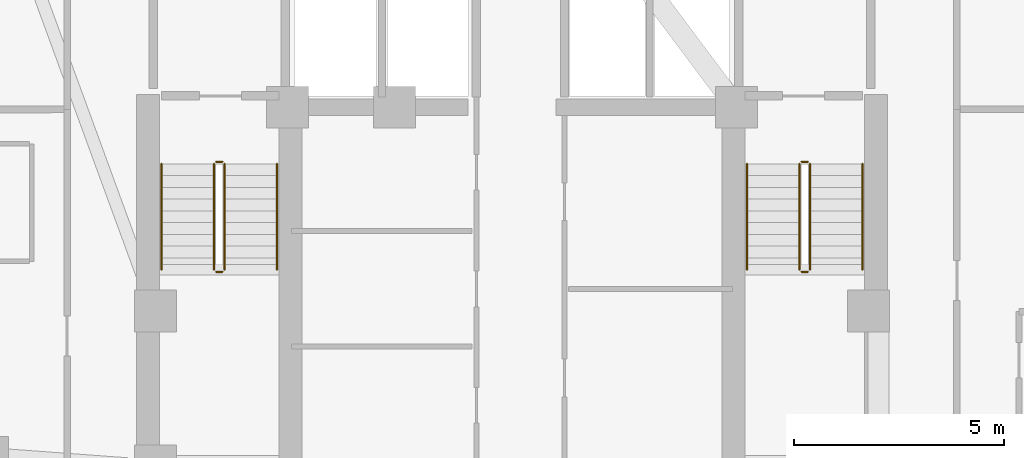
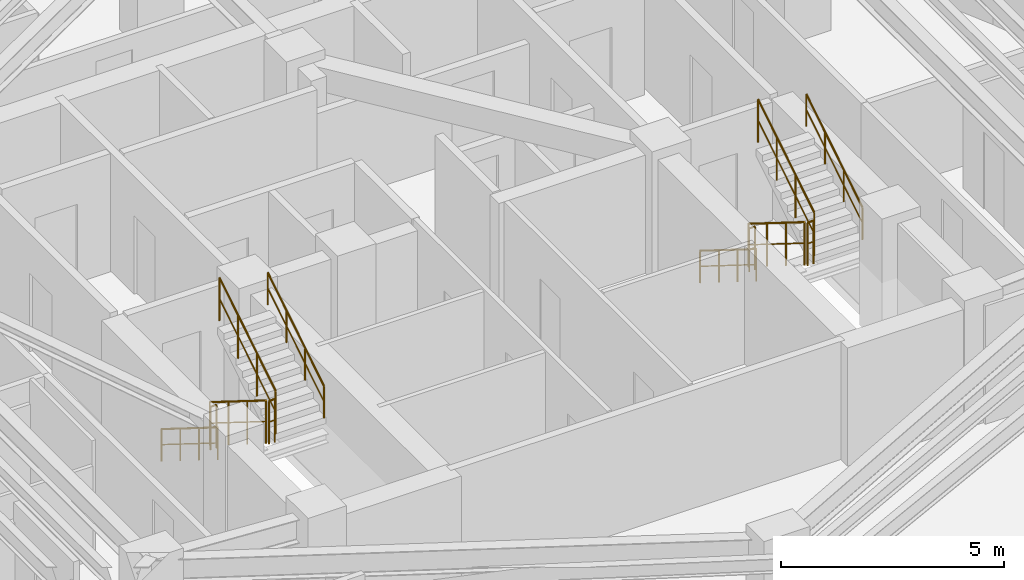
# One storey, part 9 of 9: 12 railings.
"""IFC4 building model written with IfcOpenShell, lengths in metres."""

import ifcopenshell
import ifcopenshell.guid

model = None  # the IFC model being written
_history = None  # IfcOwnerHistory: only IFC2X3 demands one
_inside = {}  # id of a spatial element -> (the spatial element, [elements in it])
_under = {}  # id of a project, library or spatial element -> (it, [spatial elements below it])
_declared = {}  # id of a project -> (the project, [libraries it declares])
_typed = {}  # id of a type object -> (the type object, [elements of that type])
_made_of = {}  # id of a material, layer set ... -> (it, [elements and type objects made of it])


def new_model(schema):
    """Start an empty IFC model of exactly this schema.

    Asked for "IFC4X3", IfcOpenShell would pick the latest addendum, in which some entities
    have other attributes; the version numbers below select the first issue.
    IFC2X3 requires an IfcOwnerHistory on every rooted entity: one is made here for all.
    """
    global model, _history
    if schema == "IFC4X3":
        model = ifcopenshell.file(schema_version=(4, 3, 0, 0))
    else:
        model = ifcopenshell.file(schema=schema)
    _inside.clear()
    _under.clear()
    _declared.clear()
    _typed.clear()
    _made_of.clear()
    _history = None
    if model.schema == "IFC2X3":
        org = make("IfcOrganization", Name="unknown")
        user = make(
            "IfcPersonAndOrganization",
            ThePerson=make("IfcPerson", FamilyName="unknown"),
            TheOrganization=org,
        )
        app = make(
            "IfcApplication",
            ApplicationDeveloper=org,
            Version="unknown",
            ApplicationFullName="unknown",
            ApplicationIdentifier="unknown",
        )
        _history = make(
            "IfcOwnerHistory",
            OwningUser=user,
            OwningApplication=app,
            ChangeAction="ADDED",
            CreationDate=0,
        )
    return model


def make(cls, **values):
    """One entity of the class cls with the attributes given. An attribute that is None is left unset."""
    return model.create_entity(
        cls, **{name: value for name, value in values.items() if value is not None}
    )


def rooted(cls, **values):
    """An entity with a GlobalId (a new one), such as an element, a storey or a relation."""
    return make(cls, GlobalId=ifcopenshell.guid.new(), OwnerHistory=_history, **values)


def si_unit(unit_type, name, prefix=None):
    """IfcSIUnit, for example si_unit("LENGTHUNIT", "METRE", prefix="MILLI")."""
    return make("IfcSIUnit", UnitType=unit_type, Prefix=prefix, Name=name)


def assignment(units):
    """IfcUnitAssignment: the units of a project."""
    return None if units is None else make("IfcUnitAssignment", Units=units)


def point(xyz):
    """IfcCartesianPoint."""
    return None if xyz is None else make("IfcCartesianPoint", Coordinates=xyz)


def direction(xyz):
    """IfcDirection."""
    return None if xyz is None else make("IfcDirection", DirectionRatios=xyz)


def frame(location, z_axis=None, x_axis=None):
    """IfcAxis2Placement3D, a coordinate frame: its origin and axes. An axis left out is left unset."""
    return make(
        "IfcAxis2Placement3D",
        Location=point(location),
        Axis=direction(z_axis),
        RefDirection=direction(x_axis),
    )


def frame_2d(location, x_axis=None):
    """IfcAxis2Placement2D, a coordinate frame in the plane: its origin and x axis."""
    return make(
        "IfcAxis2Placement2D", Location=point(location), RefDirection=direction(x_axis)
    )


def origin():
    """The frame at (0, 0, 0) with its axes left unset."""
    return frame((0.0, 0.0, 0.0))


def origin_2d():
    """The frame at (0, 0) in the plane with its x axis left unset."""
    return frame_2d((0.0, 0.0))


def place(relative_to, where):
    """IfcLocalPlacement: puts the frame where relative to a parent placement (None: the world)."""
    return make(
        "IfcLocalPlacement", PlacementRelTo=relative_to, RelativePlacement=where
    )


def context(
    kind, dimensions, precision=None, world=None, true_north=None, identifier=None
):
    """IfcGeometricRepresentationContext, for example the 3D "Model" context."""
    return make(
        "IfcGeometricRepresentationContext",
        ContextIdentifier=identifier,
        ContextType=kind,
        CoordinateSpaceDimension=dimensions,
        Precision=precision,
        WorldCoordinateSystem=world,
        TrueNorth=true_north,
    )


def subcontext(parent, identifier, kind, view, scale=None):
    """IfcGeometricRepresentationSubContext, for example "Body" below "Model"."""
    return make(
        "IfcGeometricRepresentationSubContext",
        ContextIdentifier=identifier,
        ContextType=kind,
        ParentContext=parent,
        TargetScale=scale,
        TargetView=view,
    )


def project(units=None, contexts=None):
    """IfcProject with its units and contexts."""
    return rooted(
        "IfcProject",
        Name="project",
        RepresentationContexts=contexts,
        UnitsInContext=assignment(units),
    )


def spatial(cls, under=None, at=None, **own):
    """A site, building, storey or space (cls), placed at a placement, below another one or the project."""
    s = rooted(cls, ObjectPlacement=at, **own)
    if under is not None:
        _under.setdefault(under.id(), (under, []))[1].append(s)
    return s


def profile(cls, at=None, kind="AREA", **sizes):
    """A parametric profile (cls). Its sizes go by their IFC names, for example OverallWidth=200.0."""
    return make(cls, ProfileType=kind, Position=at, **sizes)


def circle(**sizes):
    """IfcCircleProfileDef."""
    return profile("IfcCircleProfileDef", **sizes)


def extrude(swept, where, along, depth):
    """IfcExtrudedAreaSolid: the profile swept, set in the frame where, extruded along a direction by depth."""
    return make(
        "IfcExtrudedAreaSolid",
        SweptArea=swept,
        Position=where,
        ExtrudedDirection=direction(along),
        Depth=depth,
    )


def shape(context_of_items, identifier, shape_type, items):
    """IfcShapeRepresentation: the items that make up one representation, for example the "Body"."""
    return make(
        "IfcShapeRepresentation",
        ContextOfItems=context_of_items,
        RepresentationIdentifier=identifier,
        RepresentationType=shape_type,
        Items=items,
    )


def material(Name=None, Category=None):
    """IfcMaterial."""
    return make("IfcMaterial", Name=Name, Category=Category)


def made_of(thing, what):
    """Note that an element or type object is made of a material, layer set ...; save() writes the relation."""
    if what is not None:
        _made_of.setdefault(what.id(), (what, []))[1].append(thing)
    return thing


def type_object(cls, material=None, **own):
    """A type object (cls), such as IfcWallType, which elements share."""
    return made_of(rooted(cls, **own), material)


def element(
    cls,
    number,
    at=None,
    inside=None,
    cuts=None,
    type_object=None,
    material=None,
    context=None,
    identifier="Body",
    shape_type=None,
    held_by="IfcProductDefinitionShape",
    body=None,
    shapes=None,
    **own,
):
    """One element of the class cls, such as IfcWall. Its Tag is "e" and its number.

    at: its placement. inside: the storey or other place that contains it. cuts: it is an
    opening in that element (IfcRelVoidsElement). A single representation is given by context,
    identifier, shape_type and body (its items); several are given by shapes. held_by: the class
    of the entity that holds the representations. save() writes the other relations.
    """
    e = rooted(cls, Tag="e%d" % number, ObjectPlacement=at, **own)
    if body is not None:
        shapes = [shape(context, identifier, shape_type, body)]
    if shapes is not None:
        e.Representation = make(held_by, Representations=shapes)
    if inside is not None:
        _inside.setdefault(inside.id(), (inside, []))[1].append(e)
    if cuts is not None:
        rooted(
            "IfcRelVoidsElement", RelatingBuildingElement=cuts, RelatedOpeningElement=e
        )
    if type_object is not None:
        _typed.setdefault(type_object.id(), (type_object, []))[1].append(e)
    return made_of(e, material)


def aggregate(whole, parts):
    """IfcRelAggregates: a whole, such as a stair, and the parts it consists of."""
    return rooted("IfcRelAggregates", RelatingObject=whole, RelatedObjects=parts)


def save(model, path):
    """Write the relations noted so far, then the file.

    IfcRelAggregates (storeys below a building ...), IfcRelContainedInSpatialStructure (elements
    in a storey), IfcRelDefinesByType, IfcRelAssociatesMaterial and IfcRelDeclares: one each for
    every whole, place, type object, material and project.
    """
    for whole, parts in _under.values():
        aggregate(whole, parts)
    for where, things in _inside.values():
        rooted(
            "IfcRelContainedInSpatialStructure",
            RelatedElements=things,
            RelatingStructure=where,
        )
    for kind, things in _typed.values():
        rooted("IfcRelDefinesByType", RelatedObjects=things, RelatingType=kind)
    for what, things in _made_of.values():
        rooted("IfcRelAssociatesMaterial", RelatedObjects=things, RelatingMaterial=what)
    for by, libraries in _declared.values():
        rooted("IfcRelDeclares", RelatingContext=by, RelatedDefinitions=libraries)
    model.write(path)


model = new_model("IFC4")

# Units and contexts
model_context = context("Model", 3, precision=1e-05, world=origin(), true_north=direction((0.0, 1.0)))
body_context = subcontext(model_context, "Body", "Model", "MODEL_VIEW")
ifc_project = project(units=[si_unit("LENGTHUNIT", "METRE"), si_unit("AREAUNIT", "SQUARE_METRE"), si_unit("VOLUMEUNIT", "CUBIC_METRE"), si_unit("PLANEANGLEUNIT", "RADIAN"), si_unit("MASSUNIT", "GRAM", prefix="KILO")], contexts=[model_context])

# Site, building, storey
site_placement = place(None, origin())
site = spatial("IfcSite", under=ifc_project, at=site_placement, CompositionType="ELEMENT")
building_placement = place(site_placement, origin())
building = spatial("IfcBuilding", under=site, at=building_placement, Name="Miruveldt Soraemaru", CompositionType="ELEMENT")
storey_placement = place(building_placement, frame((0.0, 0.0, 138.89990234375)))
storey = spatial("IfcBuildingStorey", under=building, at=storey_placement, Name="L38", CompositionType="ELEMENT", Elevation=138.89990234375)

# Railings
ifc_material = material(Name="Steel S355 (355 MPa)", Category="steel")
railing_type_1 = type_object("IfcRailingType", Name="RAIL-HR-900", PredefinedType="HANDRAIL", material=ifc_material)
railing_1_placement = place(storey_placement, frame((35.64990234375, 42.699951171875, 0.175048828125)))
element("IfcRailing", 1, at=railing_1_placement, inside=storey, type_object=railing_type_1, Name="L38 ST-1 stair handrail 1", PredefinedType="HANDRAIL", context=body_context, shape_type="SweptSolid", body=[
    extrude(circle(Radius=0.02392578125, at=origin_2d()), frame((0.0, 0.0, 0.8759765625), z_axis=(0.0, -0.848007534815, 0.529984170421), x_axis=(1.0, 0.0, 0.0)), (0.0, 0.0, 1.0), 2.9716796875),
    extrude(circle(Radius=0.01611328125, at=origin_2d()), frame((0.0, 0.0, 0.449951171875), z_axis=(0.0, -0.848007534815, 0.529984170421), x_axis=(1.0, 0.0, 0.0)), (0.0, 0.0, 1.0), 2.9716796875),
    extrude(circle(Radius=0.02099609375, at=origin_2d()), origin(), (0.0, 0.0, 1.0), 0.851806640625),
    extrude(circle(Radius=0.02099609375, at=origin_2d()), frame((0.0, -0.840087890625, 0.52490234375)), (0.0, 0.0, 1.0), 0.851806640625),
    extrude(circle(Radius=0.02099609375, at=origin_2d()), frame((0.0, -1.679931640625, 1.050048828125)), (0.0, 0.0, 1.0), 0.851806640625),
    extrude(circle(Radius=0.02099609375, at=origin_2d()), frame((0.0, -2.52001953125, 1.574951171875)), (0.0, 0.0, 1.0), 0.851806640625),
])
railing_2_placement = place(storey_placement, frame((38.39990234375, 40.179931640625, 1.925048828125)))
element("IfcRailing", 2, at=railing_2_placement, inside=storey, type_object=railing_type_1, Name="L38 ST-1 stair handrail 2", PredefinedType="HANDRAIL", context=body_context, shape_type="SweptSolid", body=[
    extrude(circle(Radius=0.02392578125, at=origin_2d()), frame((0.0, 0.0, 0.8759765625), z_axis=(0.0, 0.848007534815, 0.529984170421), x_axis=(-1.0, 0.0, 0.0)), (0.0, 0.0, 1.0), 2.9716796875),
    extrude(circle(Radius=0.01611328125, at=origin_2d()), frame((0.0, 0.0, 0.449951171875), z_axis=(0.0, 0.848007534815, 0.529984170421), x_axis=(-1.0, 0.0, 0.0)), (0.0, 0.0, 1.0), 2.9716796875),
    extrude(circle(Radius=0.02099609375, at=origin_2d()), origin(), (0.0, 0.0, 1.0), 0.851806640625),
    extrude(circle(Radius=0.02099609375, at=origin_2d()), frame((0.0, 0.840087890625, 0.52490234375)), (0.0, 0.0, 1.0), 0.851806640625),
    extrude(circle(Radius=0.02099609375, at=origin_2d()), frame((0.0, 1.679931640625, 1.050048828125)), (0.0, 0.0, 1.0), 0.851806640625),
    extrude(circle(Radius=0.02099609375, at=origin_2d()), frame((0.0, 2.52001953125, 1.574951171875)), (0.0, 0.0, 1.0), 0.851806640625),
])
railing_3_placement = place(storey_placement, frame((49.60009765625, 42.699951171875, 0.175048828125)))
element("IfcRailing", 3, at=railing_3_placement, inside=storey, type_object=railing_type_1, Name="L38 ST-2 stair handrail 1", PredefinedType="HANDRAIL", context=body_context, shape_type="SweptSolid", body=[
    extrude(circle(Radius=0.02392578125, at=origin_2d()), frame((0.0, 0.0, 0.8759765625), z_axis=(0.0, -0.848007534815, 0.529984170421), x_axis=(1.0, 0.0, 0.0)), (0.0, 0.0, 1.0), 2.9716796875),
    extrude(circle(Radius=0.01611328125, at=origin_2d()), frame((0.0, 0.0, 0.449951171875), z_axis=(0.0, -0.848007534815, 0.529984170421), x_axis=(1.0, 0.0, 0.0)), (0.0, 0.0, 1.0), 2.9716796875),
    extrude(circle(Radius=0.02099609375, at=origin_2d()), origin(), (0.0, 0.0, 1.0), 0.851806640625),
    extrude(circle(Radius=0.02099609375, at=origin_2d()), frame((0.0, -0.840087890625, 0.52490234375)), (0.0, 0.0, 1.0), 0.851806640625),
    extrude(circle(Radius=0.02099609375, at=origin_2d()), frame((0.0, -1.679931640625, 1.050048828125)), (0.0, 0.0, 1.0), 0.851806640625),
    extrude(circle(Radius=0.02099609375, at=origin_2d()), frame((0.0, -2.52001953125, 1.574951171875)), (0.0, 0.0, 1.0), 0.851806640625),
])
railing_4_placement = place(storey_placement, frame((52.35009765625, 40.179931640625, 1.925048828125)))
element("IfcRailing", 4, at=railing_4_placement, inside=storey, type_object=railing_type_1, Name="L38 ST-2 stair handrail 2", PredefinedType="HANDRAIL", context=body_context, shape_type="SweptSolid", body=[
    extrude(circle(Radius=0.02392578125, at=origin_2d()), frame((0.0, 0.0, 0.8759765625), z_axis=(0.0, 0.848007534815, 0.529984170421), x_axis=(-1.0, 0.0, 0.0)), (0.0, 0.0, 1.0), 2.9716796875),
    extrude(circle(Radius=0.01611328125, at=origin_2d()), frame((0.0, 0.0, 0.449951171875), z_axis=(0.0, 0.848007534815, 0.529984170421), x_axis=(-1.0, 0.0, 0.0)), (0.0, 0.0, 1.0), 2.9716796875),
    extrude(circle(Radius=0.02099609375, at=origin_2d()), origin(), (0.0, 0.0, 1.0), 0.851806640625),
    extrude(circle(Radius=0.02099609375, at=origin_2d()), frame((0.0, 0.840087890625, 0.52490234375)), (0.0, 0.0, 1.0), 0.851806640625),
    extrude(circle(Radius=0.02099609375, at=origin_2d()), frame((0.0, 1.679931640625, 1.050048828125)), (0.0, 0.0, 1.0), 0.851806640625),
    extrude(circle(Radius=0.02099609375, at=origin_2d()), frame((0.0, 2.52001953125, 1.574951171875)), (0.0, 0.0, 1.0), 0.851806640625),
])
railing_type_2 = type_object("IfcRailingType", Name="RAIL-STGUARD-1200", PredefinedType="GUARDRAIL", material=ifc_material)
railing_5_placement = place(storey_placement, frame((36.89990234375, 42.699951171875, 0.175048828125)))
element("IfcRailing", 5, at=railing_5_placement, inside=storey, type_object=railing_type_2, Name="L38 ST-1 stair guard 1", PredefinedType="GUARDRAIL", context=body_context, shape_type="SweptSolid", body=[
    extrude(circle(Radius=0.02392578125, at=origin_2d()), frame((0.0, 0.0, 1.17578125), z_axis=(0.0, -0.848007534815, 0.529984170421), x_axis=(1.0, 0.0, 0.0)), (0.0, 0.0, 1.0), 2.9716796875),
    extrude(circle(Radius=0.01611328125, at=origin_2d()), frame((0.0, 0.0, 0.60009765625), z_axis=(0.0, -0.848007534815, 0.529984170421), x_axis=(1.0, 0.0, 0.0)), (0.0, 0.0, 1.0), 2.9716796875),
    extrude(circle(Radius=0.02099609375, at=origin_2d()), origin(), (0.0, 0.0, 1.0), 1.15185546875),
    extrude(circle(Radius=0.02099609375, at=origin_2d()), frame((0.0, -0.840087890625, 0.52490234375)), (0.0, 0.0, 1.0), 1.15185546875),
    extrude(circle(Radius=0.02099609375, at=origin_2d()), frame((0.0, -1.679931640625, 1.050048828125)), (0.0, 0.0, 1.0), 1.15185546875),
    extrude(circle(Radius=0.02099609375, at=origin_2d()), frame((0.0, -2.52001953125, 1.574951171875)), (0.0, 0.0, 1.0), 1.15185546875),
])
railing_6_placement = place(storey_placement, frame((36.949951171875, 40.1298828125, 1.75)))
element("IfcRailing", 6, at=railing_6_placement, inside=storey, type_object=railing_type_2, Name="L38 ST-1 stair guard 2", PredefinedType="GUARDRAIL", context=body_context, shape_type="SweptSolid", body=[
    extrude(circle(Radius=0.02392578125, at=origin_2d()), frame((0.0, 0.0, 1.17578125), z_axis=(1.0, 0.0, 0.0), x_axis=(0.0, 1.0, 0.0)), (0.0, 0.0, 1.0), 0.150146484375),
    extrude(circle(Radius=0.01611328125, at=origin_2d()), frame((0.0, 0.0, 0.60009765625), z_axis=(1.0, 0.0, 0.0), x_axis=(0.0, 1.0, 0.0)), (0.0, 0.0, 1.0), 0.150146484375),
    extrude(circle(Radius=0.02099609375, at=origin_2d()), origin(), (0.0, 0.0, 1.0), 1.15185546875),
    extrude(circle(Radius=0.02099609375, at=origin_2d()), frame((0.150146484375, 0.0, 0.0)), (0.0, 0.0, 1.0), 1.15185546875),
])
railing_7_placement = place(storey_placement, frame((37.14990234375, 40.179931640625, 1.925048828125)))
element("IfcRailing", 7, at=railing_7_placement, inside=storey, type_object=railing_type_2, Name="L38 ST-1 stair guard 3", PredefinedType="GUARDRAIL", context=body_context, shape_type="SweptSolid", body=[
    extrude(circle(Radius=0.02392578125, at=origin_2d()), frame((0.0, 0.0, 1.17578125), z_axis=(0.0, 0.848007534815, 0.529984170421), x_axis=(-1.0, 0.0, 0.0)), (0.0, 0.0, 1.0), 2.9716796875),
    extrude(circle(Radius=0.01611328125, at=origin_2d()), frame((0.0, 0.0, 0.60009765625), z_axis=(0.0, 0.848007534815, 0.529984170421), x_axis=(-1.0, 0.0, 0.0)), (0.0, 0.0, 1.0), 2.9716796875),
    extrude(circle(Radius=0.02099609375, at=origin_2d()), origin(), (0.0, 0.0, 1.0), 1.15185546875),
    extrude(circle(Radius=0.02099609375, at=origin_2d()), frame((0.0, 0.840087890625, 0.52490234375)), (0.0, 0.0, 1.0), 1.15185546875),
    extrude(circle(Radius=0.02099609375, at=origin_2d()), frame((0.0, 1.679931640625, 1.050048828125)), (0.0, 0.0, 1.0), 1.15185546875),
    extrude(circle(Radius=0.02099609375, at=origin_2d()), frame((0.0, 2.52001953125, 1.574951171875)), (0.0, 0.0, 1.0), 1.15185546875),
])
railing_8_placement = place(storey_placement, frame((36.949951171875, 42.75, 0.0)))
element("IfcRailing", 8, at=railing_8_placement, inside=storey, type_object=railing_type_2, Name="L38 ST-1 stair guard 4", PredefinedType="GUARDRAIL", context=body_context, shape_type="SweptSolid", body=[
    extrude(circle(Radius=0.02392578125, at=origin_2d()), frame((0.0, 0.0, 1.17578125), z_axis=(1.0, 0.0, 0.0), x_axis=(0.0, 1.0, 0.0)), (0.0, 0.0, 1.0), 0.150146484375),
    extrude(circle(Radius=0.01611328125, at=origin_2d()), frame((0.0, 0.0, 0.60009765625), z_axis=(1.0, 0.0, 0.0), x_axis=(0.0, 1.0, 0.0)), (0.0, 0.0, 1.0), 0.150146484375),
    extrude(circle(Radius=0.02099609375, at=origin_2d()), origin(), (0.0, 0.0, 1.0), 1.15185546875),
    extrude(circle(Radius=0.02099609375, at=origin_2d()), frame((0.150146484375, 0.0, 0.0)), (0.0, 0.0, 1.0), 1.15185546875),
])
railing_9_placement = place(storey_placement, frame((50.85009765625, 42.699951171875, 0.175048828125)))
element("IfcRailing", 9, at=railing_9_placement, inside=storey, type_object=railing_type_2, Name="L38 ST-2 stair guard 1", PredefinedType="GUARDRAIL", context=body_context, shape_type="SweptSolid", body=[
    extrude(circle(Radius=0.02392578125, at=origin_2d()), frame((0.0, 0.0, 1.17578125), z_axis=(0.0, -0.848007534815, 0.529984170421), x_axis=(1.0, 0.0, 0.0)), (0.0, 0.0, 1.0), 2.9716796875),
    extrude(circle(Radius=0.01611328125, at=origin_2d()), frame((0.0, 0.0, 0.60009765625), z_axis=(0.0, -0.848007534815, 0.529984170421), x_axis=(1.0, 0.0, 0.0)), (0.0, 0.0, 1.0), 2.9716796875),
    extrude(circle(Radius=0.02099609375, at=origin_2d()), origin(), (0.0, 0.0, 1.0), 1.15185546875),
    extrude(circle(Radius=0.02099609375, at=origin_2d()), frame((0.0, -0.840087890625, 0.52490234375)), (0.0, 0.0, 1.0), 1.15185546875),
    extrude(circle(Radius=0.02099609375, at=origin_2d()), frame((0.0, -1.679931640625, 1.050048828125)), (0.0, 0.0, 1.0), 1.15185546875),
    extrude(circle(Radius=0.02099609375, at=origin_2d()), frame((0.0, -2.52001953125, 1.574951171875)), (0.0, 0.0, 1.0), 1.15185546875),
])
railing_10_placement = place(storey_placement, frame((50.89990234375, 40.1298828125, 1.75)))
element("IfcRailing", 10, at=railing_10_placement, inside=storey, type_object=railing_type_2, Name="L38 ST-2 stair guard 2", PredefinedType="GUARDRAIL", context=body_context, shape_type="SweptSolid", body=[
    extrude(circle(Radius=0.02392578125, at=origin_2d()), frame((0.0, 0.0, 1.17578125), z_axis=(1.0, 0.0, 0.0), x_axis=(0.0, 1.0, 0.0)), (0.0, 0.0, 1.0), 0.150146484375),
    extrude(circle(Radius=0.01611328125, at=origin_2d()), frame((0.0, 0.0, 0.60009765625), z_axis=(1.0, 0.0, 0.0), x_axis=(0.0, 1.0, 0.0)), (0.0, 0.0, 1.0), 0.150146484375),
    extrude(circle(Radius=0.02099609375, at=origin_2d()), origin(), (0.0, 0.0, 1.0), 1.15185546875),
    extrude(circle(Radius=0.02099609375, at=origin_2d()), frame((0.150146484375, 0.0, 0.0)), (0.0, 0.0, 1.0), 1.15185546875),
])
railing_11_placement = place(storey_placement, frame((51.10009765625, 40.179931640625, 1.925048828125)))
element("IfcRailing", 11, at=railing_11_placement, inside=storey, type_object=railing_type_2, Name="L38 ST-2 stair guard 3", PredefinedType="GUARDRAIL", context=body_context, shape_type="SweptSolid", body=[
    extrude(circle(Radius=0.02392578125, at=origin_2d()), frame((0.0, 0.0, 1.17578125), z_axis=(0.0, 0.848007534815, 0.529984170421), x_axis=(-1.0, 0.0, 0.0)), (0.0, 0.0, 1.0), 2.9716796875),
    extrude(circle(Radius=0.01611328125, at=origin_2d()), frame((0.0, 0.0, 0.60009765625), z_axis=(0.0, 0.848007534815, 0.529984170421), x_axis=(-1.0, 0.0, 0.0)), (0.0, 0.0, 1.0), 2.9716796875),
    extrude(circle(Radius=0.02099609375, at=origin_2d()), origin(), (0.0, 0.0, 1.0), 1.15185546875),
    extrude(circle(Radius=0.02099609375, at=origin_2d()), frame((0.0, 0.840087890625, 0.52490234375)), (0.0, 0.0, 1.0), 1.15185546875),
    extrude(circle(Radius=0.02099609375, at=origin_2d()), frame((0.0, 1.679931640625, 1.050048828125)), (0.0, 0.0, 1.0), 1.15185546875),
    extrude(circle(Radius=0.02099609375, at=origin_2d()), frame((0.0, 2.52001953125, 1.574951171875)), (0.0, 0.0, 1.0), 1.15185546875),
])
railing_12_placement = place(storey_placement, frame((50.89990234375, 42.75, 0.0)))
element("IfcRailing", 12, at=railing_12_placement, inside=storey, type_object=railing_type_2, Name="L38 ST-2 stair guard 4", PredefinedType="GUARDRAIL", context=body_context, shape_type="SweptSolid", body=[
    extrude(circle(Radius=0.02392578125, at=origin_2d()), frame((0.0, 0.0, 1.17578125), z_axis=(1.0, 0.0, 0.0), x_axis=(0.0, 1.0, 0.0)), (0.0, 0.0, 1.0), 0.150146484375),
    extrude(circle(Radius=0.01611328125, at=origin_2d()), frame((0.0, 0.0, 0.60009765625), z_axis=(1.0, 0.0, 0.0), x_axis=(0.0, 1.0, 0.0)), (0.0, 0.0, 1.0), 0.150146484375),
    extrude(circle(Radius=0.02099609375, at=origin_2d()), origin(), (0.0, 0.0, 1.0), 1.15185546875),
    extrude(circle(Radius=0.02099609375, at=origin_2d()), frame((0.150146484375, 0.0, 0.0)), (0.0, 0.0, 1.0), 1.15185546875),
])

save(model, "model.ifc")
